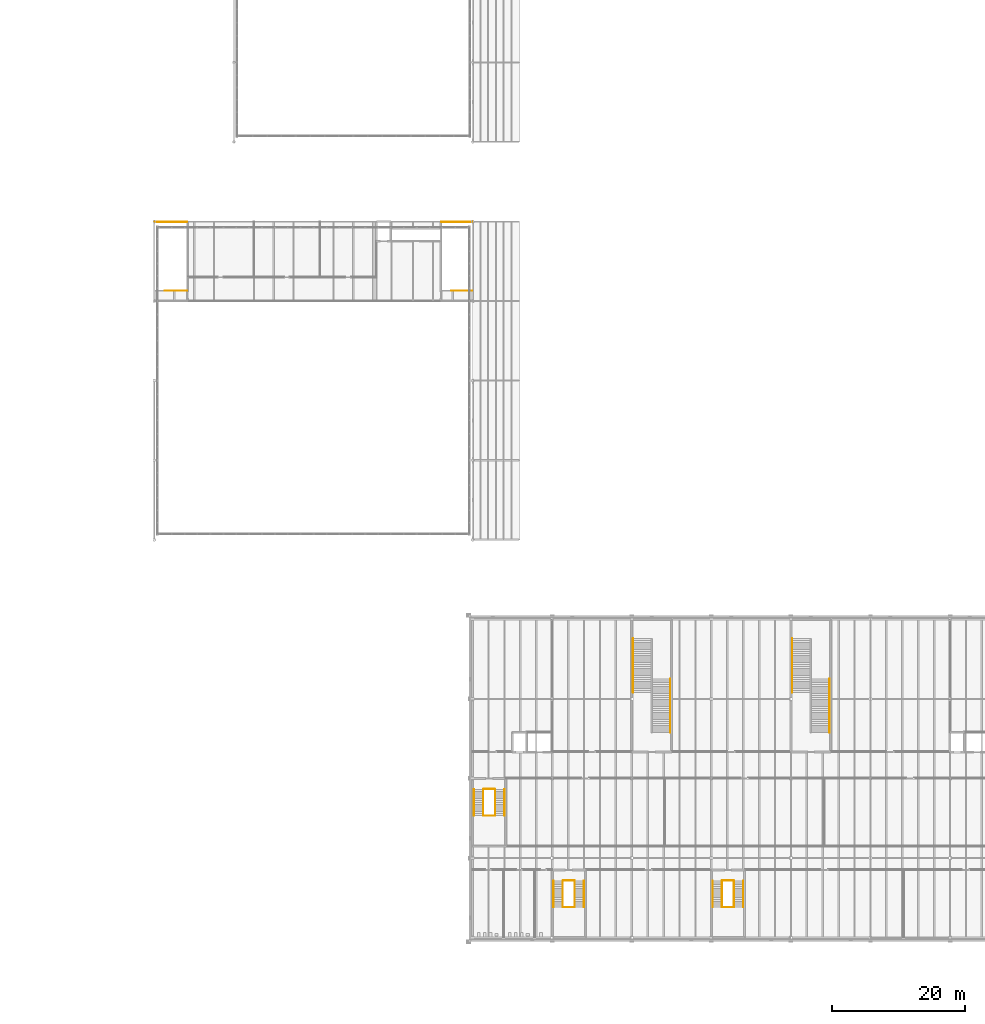
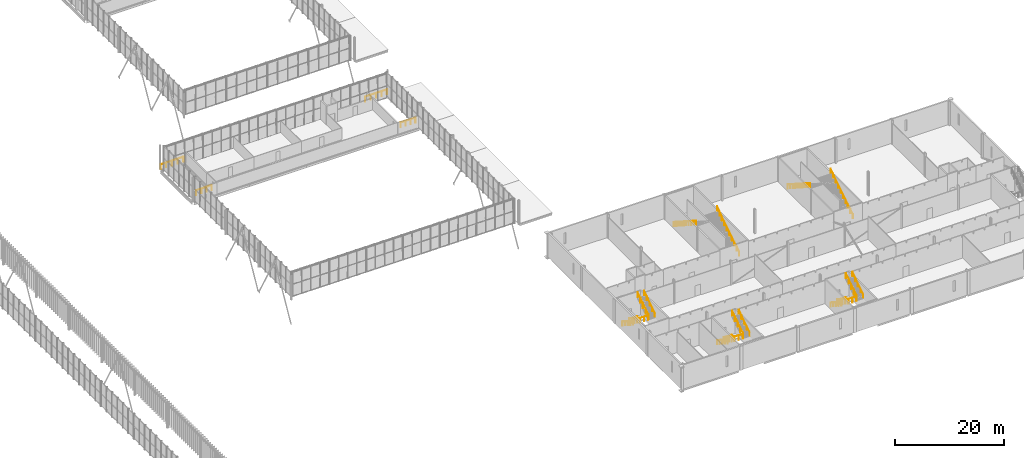
# One storey, part 161 of 170: 26 railings.
"""IFC4 building model written with IfcOpenShell, lengths in metres."""

from ifc_helpers import new_model, si_unit, direction, frame, origin, origin_2d, place, context, subcontext, project, spatial, circle, extrude, material, type_object, element, save


model = new_model("IFC4")

# Units and contexts
model_context = context("Model", 3, precision=1e-05, world=origin(), true_north=direction((0.0, 1.0)))
body_context = subcontext(model_context, "Body", "Model", "MODEL_VIEW")
ifc_project = project(units=[si_unit("LENGTHUNIT", "METRE"), si_unit("AREAUNIT", "SQUARE_METRE"), si_unit("VOLUMEUNIT", "CUBIC_METRE"), si_unit("PLANEANGLEUNIT", "RADIAN"), si_unit("MASSUNIT", "GRAM", prefix="KILO")], contexts=[model_context])

# Site, building, storey
site_placement = place(None, origin())
site = spatial("IfcSite", under=ifc_project, at=site_placement, CompositionType="ELEMENT")
building_placement = place(site_placement, origin())
building = spatial("IfcBuilding", under=site, at=building_placement, Name="Ravi Spectrum Wholesale Market", CompositionType="ELEMENT")
storey_placement = place(building_placement, frame((0.0, 0.0, 5.39990234375)))
storey = spatial("IfcBuildingStorey", under=building, at=storey_placement, Name="L01", CompositionType="ELEMENT", Elevation=5.39990234375)

# Railings
ifc_material_1 = material(Name="Steel S355", Category="steel")
railing_type_1 = type_object("IfcRailingType", Name="Guard 1100", PredefinedType="GUARDRAIL", material=ifc_material_1)
railing_1_placement = place(storey_placement, frame((193.300048828125, 125.949951171875, 0.0)))
element("IfcRailing", 1, at=railing_1_placement, inside=storey, type_object=railing_type_1, Name="H2-RL-S-H2-1-WELL-0", PredefinedType="GUARDRAIL", context=body_context, shape_type="SweptSolid", body=[
    extrude(circle(Radius=0.02392578125, at=origin_2d()), frame((0.0, 0.0, 1.076171875), z_axis=(1.0, 0.0, 0.0), x_axis=(0.0, 1.0, 0.0)), (0.0, 0.0, 1.0), 4.599853515625),
    extrude(circle(Radius=0.02099609375, at=origin_2d()), origin(), (0.0, 0.0, 1.0), 1.052001953125),
    extrude(circle(Radius=0.02099609375, at=origin_2d()), frame((1.14990234375, 0.0, 0.0)), (0.0, 0.0, 1.0), 1.052001953125),
    extrude(circle(Radius=0.02099609375, at=origin_2d()), frame((2.2998046875, 0.0, 0.0)), (0.0, 0.0, 1.0), 1.052001953125),
    extrude(circle(Radius=0.02099609375, at=origin_2d()), frame((3.449951171875, 0.0, 0.0)), (0.0, 0.0, 1.0), 1.052001953125),
    extrude(circle(Radius=0.02099609375, at=origin_2d()), frame((4.599853515625, 0.0, 0.0)), (0.0, 0.0, 1.0), 1.052001953125),
])
railing_2_placement = place(storey_placement, frame((197.89990234375, 115.550048828125, 0.0)))
element("IfcRailing", 2, at=railing_2_placement, inside=storey, type_object=railing_type_1, Name="L01 S-H2-1 top well guard 1", PredefinedType="GUARDRAIL", context=body_context, shape_type="SweptSolid", body=[
    extrude(circle(Radius=0.02392578125, at=origin_2d()), frame((0.0, 0.0, 1.076171875), z_axis=(-1.0, 0.0, 0.0), x_axis=(0.0, -1.0, 0.0)), (0.0, 0.0, 1.0), 3.099853515625),
    extrude(circle(Radius=0.02099609375, at=origin_2d()), origin(), (0.0, 0.0, 1.0), 1.052001953125),
    extrude(circle(Radius=0.02099609375, at=origin_2d()), frame((-1.033203125, 0.0, 0.0)), (0.0, 0.0, 1.0), 1.052001953125),
    extrude(circle(Radius=0.02099609375, at=origin_2d()), frame((-2.066650390625, 0.0, 0.0)), (0.0, 0.0, 1.0), 1.052001953125),
    extrude(circle(Radius=0.02099609375, at=origin_2d()), frame((-3.099853515625, 0.0, 0.0)), (0.0, 0.0, 1.0), 1.052001953125),
])
railing_3_placement = place(storey_placement, frame((150.10009765625, 125.949951171875, 0.0)))
element("IfcRailing", 3, at=railing_3_placement, inside=storey, type_object=railing_type_1, Name="H2-RL-S-H2-2-WELL-0", PredefinedType="GUARDRAIL", context=body_context, shape_type="SweptSolid", body=[
    extrude(circle(Radius=0.02392578125, at=origin_2d()), frame((0.0, 0.0, 1.076171875), z_axis=(1.0, 0.0, 0.0), x_axis=(0.0, 1.0, 0.0)), (0.0, 0.0, 1.0), 4.7998046875),
    extrude(circle(Radius=0.02099609375, at=origin_2d()), origin(), (0.0, 0.0, 1.0), 1.052001953125),
    extrude(circle(Radius=0.02099609375, at=origin_2d()), frame((1.199951171875, 0.0, 0.0)), (0.0, 0.0, 1.0), 1.052001953125),
    extrude(circle(Radius=0.02099609375, at=origin_2d()), frame((2.39990234375, 0.0, 0.0)), (0.0, 0.0, 1.0), 1.052001953125),
    extrude(circle(Radius=0.02099609375, at=origin_2d()), frame((3.599853515625, 0.0, 0.0)), (0.0, 0.0, 1.0), 1.052001953125),
    extrude(circle(Radius=0.02099609375, at=origin_2d()), frame((4.7998046875, 0.0, 0.0)), (0.0, 0.0, 1.0), 1.052001953125),
])
railing_4_placement = place(storey_placement, frame((154.89990234375, 115.550048828125, 0.0)))
element("IfcRailing", 4, at=railing_4_placement, inside=storey, type_object=railing_type_1, Name="L01 S-H2-2 top well guard 1", PredefinedType="GUARDRAIL", context=body_context, shape_type="SweptSolid", body=[
    extrude(circle(Radius=0.02392578125, at=origin_2d()), frame((0.0, 0.0, 1.076171875), z_axis=(-1.0, 0.0, 0.0), x_axis=(0.0, -1.0, 0.0)), (0.0, 0.0, 1.0), 3.2998046875),
    extrude(circle(Radius=0.02099609375, at=origin_2d()), origin(), (0.0, 0.0, 1.0), 1.052001953125),
    extrude(circle(Radius=0.02099609375, at=origin_2d()), frame((-1.099853515625, 0.0, 0.0)), (0.0, 0.0, 1.0), 1.052001953125),
    extrude(circle(Radius=0.02099609375, at=origin_2d()), frame((-2.199951171875, 0.0, 0.0)), (0.0, 0.0, 1.0), 1.052001953125),
    extrude(circle(Radius=0.02099609375, at=origin_2d()), frame((-3.2998046875, 0.0, 0.0)), (0.0, 0.0, 1.0), 1.052001953125),
])
railing_5_placement = place(storey_placement, frame((199.60009765625, 40.35009765625, 0.18017578125)))
element("IfcRailing", 5, at=railing_5_placement, inside=storey, type_object=railing_type_1, Name="L01 S-CS-1 stair guard 1", PredefinedType="GUARDRAIL", context=body_context, shape_type="SweptSolid", body=[
    extrude(circle(Radius=0.02392578125, at=origin_2d()), frame((0.0, 0.0, 1.076171875), z_axis=(0.0, -0.841186985886, 0.540744352514), x_axis=(1.0, 0.0, 0.0)), (0.0, 0.0, 1.0), 4.660400390625),
    extrude(circle(Radius=0.02099609375, at=origin_2d()), origin(), (0.0, 0.0, 1.0), 1.052001953125),
    extrude(circle(Radius=0.02099609375, at=origin_2d()), frame((0.0, -0.97998046875, 0.6298828125)), (0.0, 0.0, 1.0), 1.052001953125),
    extrude(circle(Radius=0.02099609375, at=origin_2d()), frame((0.0, -1.9599609375, 1.260009765625)), (0.0, 0.0, 1.0), 1.052001953125),
    extrude(circle(Radius=0.02099609375, at=origin_2d()), frame((0.0, -2.940185546875, 1.89013671875)), (0.0, 0.0, 1.0), 1.052001953125),
    extrude(circle(Radius=0.02099609375, at=origin_2d()), frame((0.0, -3.920166015625, 2.52001953125)), (0.0, 0.0, 1.0), 1.052001953125),
])
railing_6_placement = place(storey_placement, frame((199.64990234375, 36.3798828125, 2.7001953125)))
element("IfcRailing", 6, at=railing_6_placement, inside=storey, type_object=railing_type_1, Name="L01 S-CS-1 stair guard 2", PredefinedType="GUARDRAIL", context=body_context, shape_type="SweptSolid", body=[
    extrude(circle(Radius=0.02392578125, at=origin_2d()), frame((0.0, 0.0, 1.076171875), z_axis=(1.0, 0.0, 0.0), x_axis=(0.0, 1.0, 0.0)), (0.0, 0.0, 1.0), 1.7001953125),
    extrude(circle(Radius=0.02099609375, at=origin_2d()), origin(), (0.0, 0.0, 1.0), 1.052001953125),
    extrude(circle(Radius=0.02099609375, at=origin_2d()), frame((0.85009765625, 0.0, 0.0)), (0.0, 0.0, 1.0), 1.052001953125),
    extrude(circle(Radius=0.02099609375, at=origin_2d()), frame((1.7001953125, 0.0, 0.0)), (0.0, 0.0, 1.0), 1.052001953125),
])
railing_7_placement = place(storey_placement, frame((201.39990234375, 36.429931640625, 2.880126953125)))
element("IfcRailing", 7, at=railing_7_placement, inside=storey, type_object=railing_type_1, Name="L01 S-CS-1 stair guard 3", PredefinedType="GUARDRAIL", context=body_context, shape_type="SweptSolid", body=[
    extrude(circle(Radius=0.02392578125, at=origin_2d()), frame((0.0, 0.0, 1.076171875), z_axis=(0.0, 0.841186985886, 0.540744352514), x_axis=(-1.0, 0.0, 0.0)), (0.0, 0.0, 1.0), 4.660400390625),
    extrude(circle(Radius=0.02099609375, at=origin_2d()), origin(), (0.0, 0.0, 1.0), 1.052001953125),
    extrude(circle(Radius=0.02099609375, at=origin_2d()), frame((0.0, 0.97998046875, 0.6298828125)), (0.0, 0.0, 1.0), 1.052001953125),
    extrude(circle(Radius=0.02099609375, at=origin_2d()), frame((0.0, 1.9599609375, 1.260009765625)), (0.0, 0.0, 1.0), 1.052001953125),
    extrude(circle(Radius=0.02099609375, at=origin_2d()), frame((0.0, 2.940185546875, 1.89013671875)), (0.0, 0.0, 1.0), 1.052001953125),
    extrude(circle(Radius=0.02099609375, at=origin_2d()), frame((0.0, 3.920166015625, 2.52001953125)), (0.0, 0.0, 1.0), 1.052001953125),
])
railing_8_placement = place(storey_placement, frame((199.64990234375, 40.39990234375, 0.0)))
element("IfcRailing", 8, at=railing_8_placement, inside=storey, type_object=railing_type_1, Name="L01 S-CS-1 stair guard 4", PredefinedType="GUARDRAIL", context=body_context, shape_type="SweptSolid", body=[
    extrude(circle(Radius=0.02392578125, at=origin_2d()), frame((0.0, 0.0, 1.076171875), z_axis=(1.0, 0.0, 0.0), x_axis=(0.0, 1.0, 0.0)), (0.0, 0.0, 1.0), 1.7001953125),
    extrude(circle(Radius=0.02099609375, at=origin_2d()), origin(), (0.0, 0.0, 1.0), 1.052001953125),
    extrude(circle(Radius=0.02099609375, at=origin_2d()), frame((0.85009765625, 0.0, 0.0)), (0.0, 0.0, 1.0), 1.052001953125),
    extrude(circle(Radius=0.02099609375, at=origin_2d()), frame((1.7001953125, 0.0, 0.0)), (0.0, 0.0, 1.0), 1.052001953125),
])
railing_9_placement = place(storey_placement, frame((235.60009765625, 26.550048828125, 0.18017578125)))
element("IfcRailing", 9, at=railing_9_placement, inside=storey, type_object=railing_type_1, Name="L01 S-CS-4 stair guard 1", PredefinedType="GUARDRAIL", context=body_context, shape_type="SweptSolid", body=[
    extrude(circle(Radius=0.02392578125, at=origin_2d()), frame((0.0, 0.0, 1.076171875), z_axis=(0.0, -0.841186985886, 0.540744352514), x_axis=(1.0, 0.0, 0.0)), (0.0, 0.0, 1.0), 4.660400390625),
    extrude(circle(Radius=0.02099609375, at=origin_2d()), origin(), (0.0, 0.0, 1.0), 1.052001953125),
    extrude(circle(Radius=0.02099609375, at=origin_2d()), frame((0.0, -0.97998046875, 0.6298828125)), (0.0, 0.0, 1.0), 1.052001953125),
    extrude(circle(Radius=0.02099609375, at=origin_2d()), frame((0.0, -1.9599609375, 1.260009765625)), (0.0, 0.0, 1.0), 1.052001953125),
    extrude(circle(Radius=0.02099609375, at=origin_2d()), frame((0.0, -2.940185546875, 1.89013671875)), (0.0, 0.0, 1.0), 1.052001953125),
    extrude(circle(Radius=0.02099609375, at=origin_2d()), frame((0.0, -3.920166015625, 2.52001953125)), (0.0, 0.0, 1.0), 1.052001953125),
])
railing_10_placement = place(storey_placement, frame((235.64990234375, 22.580078125, 2.7001953125)))
element("IfcRailing", 10, at=railing_10_placement, inside=storey, type_object=railing_type_1, Name="L01 S-CS-4 stair guard 2", PredefinedType="GUARDRAIL", context=body_context, shape_type="SweptSolid", body=[
    extrude(circle(Radius=0.02392578125, at=origin_2d()), frame((0.0, 0.0, 1.076171875), z_axis=(1.0, 0.0, 0.0), x_axis=(0.0, 1.0, 0.0)), (0.0, 0.0, 1.0), 1.7001953125),
    extrude(circle(Radius=0.02099609375, at=origin_2d()), origin(), (0.0, 0.0, 1.0), 1.052001953125),
    extrude(circle(Radius=0.02099609375, at=origin_2d()), frame((0.85009765625, 0.0, 0.0)), (0.0, 0.0, 1.0), 1.052001953125),
    extrude(circle(Radius=0.02099609375, at=origin_2d()), frame((1.7001953125, 0.0, 0.0)), (0.0, 0.0, 1.0), 1.052001953125),
])
railing_11_placement = place(storey_placement, frame((237.39990234375, 22.6298828125, 2.880126953125)))
element("IfcRailing", 11, at=railing_11_placement, inside=storey, type_object=railing_type_1, Name="L01 S-CS-4 stair guard 3", PredefinedType="GUARDRAIL", context=body_context, shape_type="SweptSolid", body=[
    extrude(circle(Radius=0.02392578125, at=origin_2d()), frame((0.0, 0.0, 1.076171875), z_axis=(0.0, 0.841186985886, 0.540744352514), x_axis=(-1.0, 0.0, 0.0)), (0.0, 0.0, 1.0), 4.660400390625),
    extrude(circle(Radius=0.02099609375, at=origin_2d()), origin(), (0.0, 0.0, 1.0), 1.052001953125),
    extrude(circle(Radius=0.02099609375, at=origin_2d()), frame((0.0, 0.97998046875, 0.6298828125)), (0.0, 0.0, 1.0), 1.052001953125),
    extrude(circle(Radius=0.02099609375, at=origin_2d()), frame((0.0, 1.9599609375, 1.260009765625)), (0.0, 0.0, 1.0), 1.052001953125),
    extrude(circle(Radius=0.02099609375, at=origin_2d()), frame((0.0, 2.940185546875, 1.89013671875)), (0.0, 0.0, 1.0), 1.052001953125),
    extrude(circle(Radius=0.02099609375, at=origin_2d()), frame((0.0, 3.920166015625, 2.52001953125)), (0.0, 0.0, 1.0), 1.052001953125),
])
railing_12_placement = place(storey_placement, frame((235.64990234375, 26.60009765625, 0.0)))
element("IfcRailing", 12, at=railing_12_placement, inside=storey, type_object=railing_type_1, Name="L01 S-CS-4 stair guard 4", PredefinedType="GUARDRAIL", context=body_context, shape_type="SweptSolid", body=[
    extrude(circle(Radius=0.02392578125, at=origin_2d()), frame((0.0, 0.0, 1.076171875), z_axis=(1.0, 0.0, 0.0), x_axis=(0.0, 1.0, 0.0)), (0.0, 0.0, 1.0), 1.7001953125),
    extrude(circle(Radius=0.02099609375, at=origin_2d()), origin(), (0.0, 0.0, 1.0), 1.052001953125),
    extrude(circle(Radius=0.02099609375, at=origin_2d()), frame((0.85009765625, 0.0, 0.0)), (0.0, 0.0, 1.0), 1.052001953125),
    extrude(circle(Radius=0.02099609375, at=origin_2d()), frame((1.7001953125, 0.0, 0.0)), (0.0, 0.0, 1.0), 1.052001953125),
])
railing_13_placement = place(storey_placement, frame((211.60009765625, 26.550048828125, 0.18017578125)))
element("IfcRailing", 13, at=railing_13_placement, inside=storey, type_object=railing_type_1, Name="L01 S-CS-6 stair guard 1", PredefinedType="GUARDRAIL", context=body_context, shape_type="SweptSolid", body=[
    extrude(circle(Radius=0.02392578125, at=origin_2d()), frame((0.0, 0.0, 1.076171875), z_axis=(0.0, -0.841186985886, 0.540744352514), x_axis=(1.0, 0.0, 0.0)), (0.0, 0.0, 1.0), 4.660400390625),
    extrude(circle(Radius=0.02099609375, at=origin_2d()), origin(), (0.0, 0.0, 1.0), 1.052001953125),
    extrude(circle(Radius=0.02099609375, at=origin_2d()), frame((0.0, -0.97998046875, 0.6298828125)), (0.0, 0.0, 1.0), 1.052001953125),
    extrude(circle(Radius=0.02099609375, at=origin_2d()), frame((0.0, -1.9599609375, 1.260009765625)), (0.0, 0.0, 1.0), 1.052001953125),
    extrude(circle(Radius=0.02099609375, at=origin_2d()), frame((0.0, -2.940185546875, 1.89013671875)), (0.0, 0.0, 1.0), 1.052001953125),
    extrude(circle(Radius=0.02099609375, at=origin_2d()), frame((0.0, -3.920166015625, 2.52001953125)), (0.0, 0.0, 1.0), 1.052001953125),
])
railing_14_placement = place(storey_placement, frame((211.64990234375, 22.580078125, 2.7001953125)))
element("IfcRailing", 14, at=railing_14_placement, inside=storey, type_object=railing_type_1, Name="L01 S-CS-6 stair guard 2", PredefinedType="GUARDRAIL", context=body_context, shape_type="SweptSolid", body=[
    extrude(circle(Radius=0.02392578125, at=origin_2d()), frame((0.0, 0.0, 1.076171875), z_axis=(1.0, 0.0, 0.0), x_axis=(0.0, 1.0, 0.0)), (0.0, 0.0, 1.0), 1.7001953125),
    extrude(circle(Radius=0.02099609375, at=origin_2d()), origin(), (0.0, 0.0, 1.0), 1.052001953125),
    extrude(circle(Radius=0.02099609375, at=origin_2d()), frame((0.85009765625, 0.0, 0.0)), (0.0, 0.0, 1.0), 1.052001953125),
    extrude(circle(Radius=0.02099609375, at=origin_2d()), frame((1.7001953125, 0.0, 0.0)), (0.0, 0.0, 1.0), 1.052001953125),
])
railing_15_placement = place(storey_placement, frame((213.39990234375, 22.6298828125, 2.880126953125)))
element("IfcRailing", 15, at=railing_15_placement, inside=storey, type_object=railing_type_1, Name="L01 S-CS-6 stair guard 3", PredefinedType="GUARDRAIL", context=body_context, shape_type="SweptSolid", body=[
    extrude(circle(Radius=0.02392578125, at=origin_2d()), frame((0.0, 0.0, 1.076171875), z_axis=(0.0, 0.841186985886, 0.540744352514), x_axis=(-1.0, 0.0, 0.0)), (0.0, 0.0, 1.0), 4.660400390625),
    extrude(circle(Radius=0.02099609375, at=origin_2d()), origin(), (0.0, 0.0, 1.0), 1.052001953125),
    extrude(circle(Radius=0.02099609375, at=origin_2d()), frame((0.0, 0.97998046875, 0.6298828125)), (0.0, 0.0, 1.0), 1.052001953125),
    extrude(circle(Radius=0.02099609375, at=origin_2d()), frame((0.0, 1.9599609375, 1.260009765625)), (0.0, 0.0, 1.0), 1.052001953125),
    extrude(circle(Radius=0.02099609375, at=origin_2d()), frame((0.0, 2.940185546875, 1.89013671875)), (0.0, 0.0, 1.0), 1.052001953125),
    extrude(circle(Radius=0.02099609375, at=origin_2d()), frame((0.0, 3.920166015625, 2.52001953125)), (0.0, 0.0, 1.0), 1.052001953125),
])
railing_16_placement = place(storey_placement, frame((211.64990234375, 26.60009765625, 0.0)))
element("IfcRailing", 16, at=railing_16_placement, inside=storey, type_object=railing_type_1, Name="L01 S-CS-6 stair guard 4", PredefinedType="GUARDRAIL", context=body_context, shape_type="SweptSolid", body=[
    extrude(circle(Radius=0.02392578125, at=origin_2d()), frame((0.0, 0.0, 1.076171875), z_axis=(1.0, 0.0, 0.0), x_axis=(0.0, 1.0, 0.0)), (0.0, 0.0, 1.0), 1.7001953125),
    extrude(circle(Radius=0.02099609375, at=origin_2d()), origin(), (0.0, 0.0, 1.0), 1.052001953125),
    extrude(circle(Radius=0.02099609375, at=origin_2d()), frame((0.85009765625, 0.0, 0.0)), (0.0, 0.0, 1.0), 1.052001953125),
    extrude(circle(Radius=0.02099609375, at=origin_2d()), frame((1.7001953125, 0.0, 0.0)), (0.0, 0.0, 1.0), 1.052001953125),
])
ifc_material_2 = material(Name="Stainless steel", Category="steel")
railing_type_2 = type_object("IfcRailingType", Name="Handrail 900", PredefinedType="HANDRAIL", material=ifc_material_2)
railing_17_placement = place(storey_placement, frame((198.199951171875, 40.35009765625, 0.18017578125)))
element("IfcRailing", 17, at=railing_17_placement, inside=storey, type_object=railing_type_2, Name="L01 S-CS-1 stair handrail 1", PredefinedType="HANDRAIL", context=body_context, shape_type="SweptSolid", body=[
    extrude(circle(Radius=0.02392578125, at=origin_2d()), frame((0.0, 0.0, 0.8759765625), z_axis=(0.0, -0.841186985886, 0.540744352514), x_axis=(1.0, 0.0, 0.0)), (0.0, 0.0, 1.0), 4.660400390625),
    extrude(circle(Radius=0.02099609375, at=origin_2d()), origin(), (0.0, 0.0, 1.0), 0.851806640625),
    extrude(circle(Radius=0.02099609375, at=origin_2d()), frame((0.0, -0.97998046875, 0.6298828125)), (0.0, 0.0, 1.0), 0.851806640625),
    extrude(circle(Radius=0.02099609375, at=origin_2d()), frame((0.0, -1.9599609375, 1.260009765625)), (0.0, 0.0, 1.0), 0.851806640625),
    extrude(circle(Radius=0.02099609375, at=origin_2d()), frame((0.0, -2.940185546875, 1.89013671875)), (0.0, 0.0, 1.0), 0.851806640625),
    extrude(circle(Radius=0.02099609375, at=origin_2d()), frame((0.0, -3.920166015625, 2.52001953125)), (0.0, 0.0, 1.0), 0.851806640625),
])
railing_18_placement = place(storey_placement, frame((202.800048828125, 36.429931640625, 2.880126953125)))
element("IfcRailing", 18, at=railing_18_placement, inside=storey, type_object=railing_type_2, Name="L01 S-CS-1 stair handrail 2", PredefinedType="HANDRAIL", context=body_context, shape_type="SweptSolid", body=[
    extrude(circle(Radius=0.02392578125, at=origin_2d()), frame((0.0, 0.0, 0.8759765625), z_axis=(0.0, 0.841186985886, 0.540744352514), x_axis=(-1.0, 0.0, 0.0)), (0.0, 0.0, 1.0), 4.660400390625),
    extrude(circle(Radius=0.02099609375, at=origin_2d()), origin(), (0.0, 0.0, 1.0), 0.851806640625),
    extrude(circle(Radius=0.02099609375, at=origin_2d()), frame((0.0, 0.97998046875, 0.6298828125)), (0.0, 0.0, 1.0), 0.851806640625),
    extrude(circle(Radius=0.02099609375, at=origin_2d()), frame((0.0, 1.9599609375, 1.260009765625)), (0.0, 0.0, 1.0), 0.851806640625),
    extrude(circle(Radius=0.02099609375, at=origin_2d()), frame((0.0, 2.940185546875, 1.89013671875)), (0.0, 0.0, 1.0), 0.851806640625),
    extrude(circle(Radius=0.02099609375, at=origin_2d()), frame((0.0, 3.920166015625, 2.52001953125)), (0.0, 0.0, 1.0), 0.851806640625),
])
railing_19_placement = place(storey_placement, frame((227.800048828125, 48.89990234375, 0.18017578125)))
element("IfcRailing", 19, at=railing_19_placement, inside=storey, type_object=railing_type_2, Name="L01 S-CS-3 stair handrail 1", PredefinedType="HANDRAIL", context=body_context, shape_type="SweptSolid", body=[
    extrude(circle(Radius=0.02392578125, at=origin_2d()), frame((0.0, 0.0, 0.8759765625), z_axis=(0.0, 0.841183405745, 0.540749921775), x_axis=(-1.0, 0.0, 0.0)), (0.0, 0.0, 1.0), 9.6533203125),
    extrude(circle(Radius=0.02099609375, at=origin_2d()), origin(), (0.0, 0.0, 1.0), 0.851806640625),
    extrude(circle(Radius=0.02099609375, at=origin_2d()), frame((0.0, 0.90234375, 0.580078125)), (0.0, 0.0, 1.0), 0.851806640625),
    extrude(circle(Radius=0.02099609375, at=origin_2d()), frame((0.0, 1.804443359375, 1.159912109375)), (0.0, 0.0, 1.0), 0.851806640625),
    extrude(circle(Radius=0.02099609375, at=origin_2d()), frame((0.0, 2.706787109375, 1.739990234375)), (0.0, 0.0, 1.0), 0.851806640625),
    extrude(circle(Radius=0.02099609375, at=origin_2d()), frame((0.0, 3.60888671875, 2.320068359375)), (0.0, 0.0, 1.0), 0.851806640625),
    extrude(circle(Radius=0.02099609375, at=origin_2d()), frame((0.0, 4.51123046875, 2.89990234375)), (0.0, 0.0, 1.0), 0.851806640625),
    extrude(circle(Radius=0.02099609375, at=origin_2d()), frame((0.0, 5.413330078125, 3.47998046875)), (0.0, 0.0, 1.0), 0.851806640625),
    extrude(circle(Radius=0.02099609375, at=origin_2d()), frame((0.0, 6.315673828125, 4.06005859375)), (0.0, 0.0, 1.0), 0.851806640625),
    extrude(circle(Radius=0.02099609375, at=origin_2d()), frame((0.0, 7.2177734375, 4.639892578125)), (0.0, 0.0, 1.0), 0.851806640625),
    extrude(circle(Radius=0.02099609375, at=origin_2d()), frame((0.0, 8.1201171875, 5.219970703125)), (0.0, 0.0, 1.0), 0.851806640625),
])
railing_20_placement = place(storey_placement, frame((222.199951171875, 63.10009765625, 0.18017578125)))
element("IfcRailing", 20, at=railing_20_placement, inside=storey, type_object=railing_type_2, Name="L01 S-CS-3 stair handrail 1", PredefinedType="HANDRAIL", context=body_context, shape_type="SweptSolid", body=[
    extrude(circle(Radius=0.02392578125, at=origin_2d()), frame((0.0, 0.0, 0.8759765625), z_axis=(0.0, -0.841183405745, 0.540749921775), x_axis=(1.0, 0.0, 0.0)), (0.0, 0.0, 1.0), 9.6533203125),
    extrude(circle(Radius=0.02099609375, at=origin_2d()), origin(), (0.0, 0.0, 1.0), 0.851806640625),
    extrude(circle(Radius=0.02099609375, at=origin_2d()), frame((0.0, -0.90234375, 0.580078125)), (0.0, 0.0, 1.0), 0.851806640625),
    extrude(circle(Radius=0.02099609375, at=origin_2d()), frame((0.0, -1.804443359375, 1.159912109375)), (0.0, 0.0, 1.0), 0.851806640625),
    extrude(circle(Radius=0.02099609375, at=origin_2d()), frame((0.0, -2.706787109375, 1.739990234375)), (0.0, 0.0, 1.0), 0.851806640625),
    extrude(circle(Radius=0.02099609375, at=origin_2d()), frame((0.0, -3.60888671875, 2.320068359375)), (0.0, 0.0, 1.0), 0.851806640625),
    extrude(circle(Radius=0.02099609375, at=origin_2d()), frame((0.0, -4.51123046875, 2.89990234375)), (0.0, 0.0, 1.0), 0.851806640625),
    extrude(circle(Radius=0.02099609375, at=origin_2d()), frame((0.0, -5.413330078125, 3.47998046875)), (0.0, 0.0, 1.0), 0.851806640625),
    extrude(circle(Radius=0.02099609375, at=origin_2d()), frame((0.0, -6.315673828125, 4.06005859375)), (0.0, 0.0, 1.0), 0.851806640625),
    extrude(circle(Radius=0.02099609375, at=origin_2d()), frame((0.0, -7.2177734375, 4.639892578125)), (0.0, 0.0, 1.0), 0.851806640625),
    extrude(circle(Radius=0.02099609375, at=origin_2d()), frame((0.0, -8.1201171875, 5.219970703125)), (0.0, 0.0, 1.0), 0.851806640625),
])
railing_21_placement = place(storey_placement, frame((234.199951171875, 26.550048828125, 0.18017578125)))
element("IfcRailing", 21, at=railing_21_placement, inside=storey, type_object=railing_type_2, Name="L01 S-CS-4 stair handrail 1", PredefinedType="HANDRAIL", context=body_context, shape_type="SweptSolid", body=[
    extrude(circle(Radius=0.02392578125, at=origin_2d()), frame((0.0, 0.0, 0.8759765625), z_axis=(0.0, -0.841186985886, 0.540744352514), x_axis=(1.0, 0.0, 0.0)), (0.0, 0.0, 1.0), 4.660400390625),
    extrude(circle(Radius=0.02099609375, at=origin_2d()), origin(), (0.0, 0.0, 1.0), 0.851806640625),
    extrude(circle(Radius=0.02099609375, at=origin_2d()), frame((0.0, -0.97998046875, 0.6298828125)), (0.0, 0.0, 1.0), 0.851806640625),
    extrude(circle(Radius=0.02099609375, at=origin_2d()), frame((0.0, -1.9599609375, 1.260009765625)), (0.0, 0.0, 1.0), 0.851806640625),
    extrude(circle(Radius=0.02099609375, at=origin_2d()), frame((0.0, -2.940185546875, 1.89013671875)), (0.0, 0.0, 1.0), 0.851806640625),
    extrude(circle(Radius=0.02099609375, at=origin_2d()), frame((0.0, -3.920166015625, 2.52001953125)), (0.0, 0.0, 1.0), 0.851806640625),
])
railing_22_placement = place(storey_placement, frame((238.800048828125, 22.6298828125, 2.880126953125)))
element("IfcRailing", 22, at=railing_22_placement, inside=storey, type_object=railing_type_2, Name="L01 S-CS-4 stair handrail 2", PredefinedType="HANDRAIL", context=body_context, shape_type="SweptSolid", body=[
    extrude(circle(Radius=0.02392578125, at=origin_2d()), frame((0.0, 0.0, 0.8759765625), z_axis=(0.0, 0.841186985886, 0.540744352514), x_axis=(-1.0, 0.0, 0.0)), (0.0, 0.0, 1.0), 4.660400390625),
    extrude(circle(Radius=0.02099609375, at=origin_2d()), origin(), (0.0, 0.0, 1.0), 0.851806640625),
    extrude(circle(Radius=0.02099609375, at=origin_2d()), frame((0.0, 0.97998046875, 0.6298828125)), (0.0, 0.0, 1.0), 0.851806640625),
    extrude(circle(Radius=0.02099609375, at=origin_2d()), frame((0.0, 1.9599609375, 1.260009765625)), (0.0, 0.0, 1.0), 0.851806640625),
    extrude(circle(Radius=0.02099609375, at=origin_2d()), frame((0.0, 2.940185546875, 1.89013671875)), (0.0, 0.0, 1.0), 0.851806640625),
    extrude(circle(Radius=0.02099609375, at=origin_2d()), frame((0.0, 3.920166015625, 2.52001953125)), (0.0, 0.0, 1.0), 0.851806640625),
])
railing_23_placement = place(storey_placement, frame((251.800048828125, 48.89990234375, 0.18017578125)))
element("IfcRailing", 23, at=railing_23_placement, inside=storey, type_object=railing_type_2, Name="L01 S-CS-5 stair handrail 1", PredefinedType="HANDRAIL", context=body_context, shape_type="SweptSolid", body=[
    extrude(circle(Radius=0.02392578125, at=origin_2d()), frame((0.0, 0.0, 0.8759765625), z_axis=(0.0, 0.841183405745, 0.540749921775), x_axis=(-1.0, 0.0, 0.0)), (0.0, 0.0, 1.0), 9.6533203125),
    extrude(circle(Radius=0.02099609375, at=origin_2d()), origin(), (0.0, 0.0, 1.0), 0.851806640625),
    extrude(circle(Radius=0.02099609375, at=origin_2d()), frame((0.0, 0.90234375, 0.580078125)), (0.0, 0.0, 1.0), 0.851806640625),
    extrude(circle(Radius=0.02099609375, at=origin_2d()), frame((0.0, 1.804443359375, 1.159912109375)), (0.0, 0.0, 1.0), 0.851806640625),
    extrude(circle(Radius=0.02099609375, at=origin_2d()), frame((0.0, 2.706787109375, 1.739990234375)), (0.0, 0.0, 1.0), 0.851806640625),
    extrude(circle(Radius=0.02099609375, at=origin_2d()), frame((0.0, 3.60888671875, 2.320068359375)), (0.0, 0.0, 1.0), 0.851806640625),
    extrude(circle(Radius=0.02099609375, at=origin_2d()), frame((0.0, 4.51123046875, 2.89990234375)), (0.0, 0.0, 1.0), 0.851806640625),
    extrude(circle(Radius=0.02099609375, at=origin_2d()), frame((0.0, 5.413330078125, 3.47998046875)), (0.0, 0.0, 1.0), 0.851806640625),
    extrude(circle(Radius=0.02099609375, at=origin_2d()), frame((0.0, 6.315673828125, 4.06005859375)), (0.0, 0.0, 1.0), 0.851806640625),
    extrude(circle(Radius=0.02099609375, at=origin_2d()), frame((0.0, 7.2177734375, 4.639892578125)), (0.0, 0.0, 1.0), 0.851806640625),
    extrude(circle(Radius=0.02099609375, at=origin_2d()), frame((0.0, 8.1201171875, 5.219970703125)), (0.0, 0.0, 1.0), 0.851806640625),
])
railing_24_placement = place(storey_placement, frame((246.199951171875, 63.10009765625, 0.18017578125)))
element("IfcRailing", 24, at=railing_24_placement, inside=storey, type_object=railing_type_2, Name="L01 S-CS-5 stair handrail 1", PredefinedType="HANDRAIL", context=body_context, shape_type="SweptSolid", body=[
    extrude(circle(Radius=0.02392578125, at=origin_2d()), frame((0.0, 0.0, 0.8759765625), z_axis=(0.0, -0.841183405745, 0.540749921775), x_axis=(1.0, 0.0, 0.0)), (0.0, 0.0, 1.0), 9.6533203125),
    extrude(circle(Radius=0.02099609375, at=origin_2d()), origin(), (0.0, 0.0, 1.0), 0.851806640625),
    extrude(circle(Radius=0.02099609375, at=origin_2d()), frame((0.0, -0.90234375, 0.580078125)), (0.0, 0.0, 1.0), 0.851806640625),
    extrude(circle(Radius=0.02099609375, at=origin_2d()), frame((0.0, -1.804443359375, 1.159912109375)), (0.0, 0.0, 1.0), 0.851806640625),
    extrude(circle(Radius=0.02099609375, at=origin_2d()), frame((0.0, -2.706787109375, 1.739990234375)), (0.0, 0.0, 1.0), 0.851806640625),
    extrude(circle(Radius=0.02099609375, at=origin_2d()), frame((0.0, -3.60888671875, 2.320068359375)), (0.0, 0.0, 1.0), 0.851806640625),
    extrude(circle(Radius=0.02099609375, at=origin_2d()), frame((0.0, -4.51123046875, 2.89990234375)), (0.0, 0.0, 1.0), 0.851806640625),
    extrude(circle(Radius=0.02099609375, at=origin_2d()), frame((0.0, -5.413330078125, 3.47998046875)), (0.0, 0.0, 1.0), 0.851806640625),
    extrude(circle(Radius=0.02099609375, at=origin_2d()), frame((0.0, -6.315673828125, 4.06005859375)), (0.0, 0.0, 1.0), 0.851806640625),
    extrude(circle(Radius=0.02099609375, at=origin_2d()), frame((0.0, -7.2177734375, 4.639892578125)), (0.0, 0.0, 1.0), 0.851806640625),
    extrude(circle(Radius=0.02099609375, at=origin_2d()), frame((0.0, -8.1201171875, 5.219970703125)), (0.0, 0.0, 1.0), 0.851806640625),
])
railing_25_placement = place(storey_placement, frame((210.199951171875, 26.550048828125, 0.18017578125)))
element("IfcRailing", 25, at=railing_25_placement, inside=storey, type_object=railing_type_2, Name="L01 S-CS-6 stair handrail 1", PredefinedType="HANDRAIL", context=body_context, shape_type="SweptSolid", body=[
    extrude(circle(Radius=0.02392578125, at=origin_2d()), frame((0.0, 0.0, 0.8759765625), z_axis=(0.0, -0.841186985886, 0.540744352514), x_axis=(1.0, 0.0, 0.0)), (0.0, 0.0, 1.0), 4.660400390625),
    extrude(circle(Radius=0.02099609375, at=origin_2d()), origin(), (0.0, 0.0, 1.0), 0.851806640625),
    extrude(circle(Radius=0.02099609375, at=origin_2d()), frame((0.0, -0.97998046875, 0.6298828125)), (0.0, 0.0, 1.0), 0.851806640625),
    extrude(circle(Radius=0.02099609375, at=origin_2d()), frame((0.0, -1.9599609375, 1.260009765625)), (0.0, 0.0, 1.0), 0.851806640625),
    extrude(circle(Radius=0.02099609375, at=origin_2d()), frame((0.0, -2.940185546875, 1.89013671875)), (0.0, 0.0, 1.0), 0.851806640625),
    extrude(circle(Radius=0.02099609375, at=origin_2d()), frame((0.0, -3.920166015625, 2.52001953125)), (0.0, 0.0, 1.0), 0.851806640625),
])
railing_26_placement = place(storey_placement, frame((214.800048828125, 22.6298828125, 2.880126953125)))
element("IfcRailing", 26, at=railing_26_placement, inside=storey, type_object=railing_type_2, Name="L01 S-CS-6 stair handrail 2", PredefinedType="HANDRAIL", context=body_context, shape_type="SweptSolid", body=[
    extrude(circle(Radius=0.02392578125, at=origin_2d()), frame((0.0, 0.0, 0.8759765625), z_axis=(0.0, 0.841186985886, 0.540744352514), x_axis=(-1.0, 0.0, 0.0)), (0.0, 0.0, 1.0), 4.660400390625),
    extrude(circle(Radius=0.02099609375, at=origin_2d()), origin(), (0.0, 0.0, 1.0), 0.851806640625),
    extrude(circle(Radius=0.02099609375, at=origin_2d()), frame((0.0, 0.97998046875, 0.6298828125)), (0.0, 0.0, 1.0), 0.851806640625),
    extrude(circle(Radius=0.02099609375, at=origin_2d()), frame((0.0, 1.9599609375, 1.260009765625)), (0.0, 0.0, 1.0), 0.851806640625),
    extrude(circle(Radius=0.02099609375, at=origin_2d()), frame((0.0, 2.940185546875, 1.89013671875)), (0.0, 0.0, 1.0), 0.851806640625),
    extrude(circle(Radius=0.02099609375, at=origin_2d()), frame((0.0, 3.920166015625, 2.52001953125)), (0.0, 0.0, 1.0), 0.851806640625),
])

save(model, "model.ifc")
